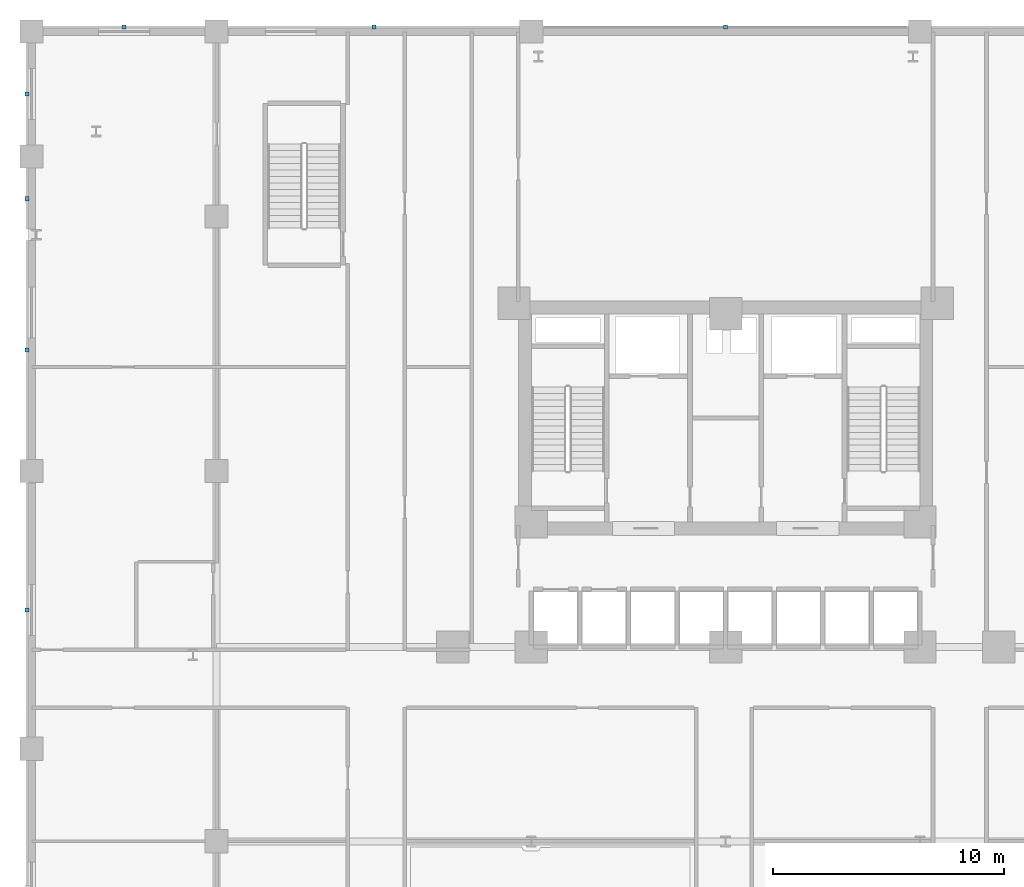
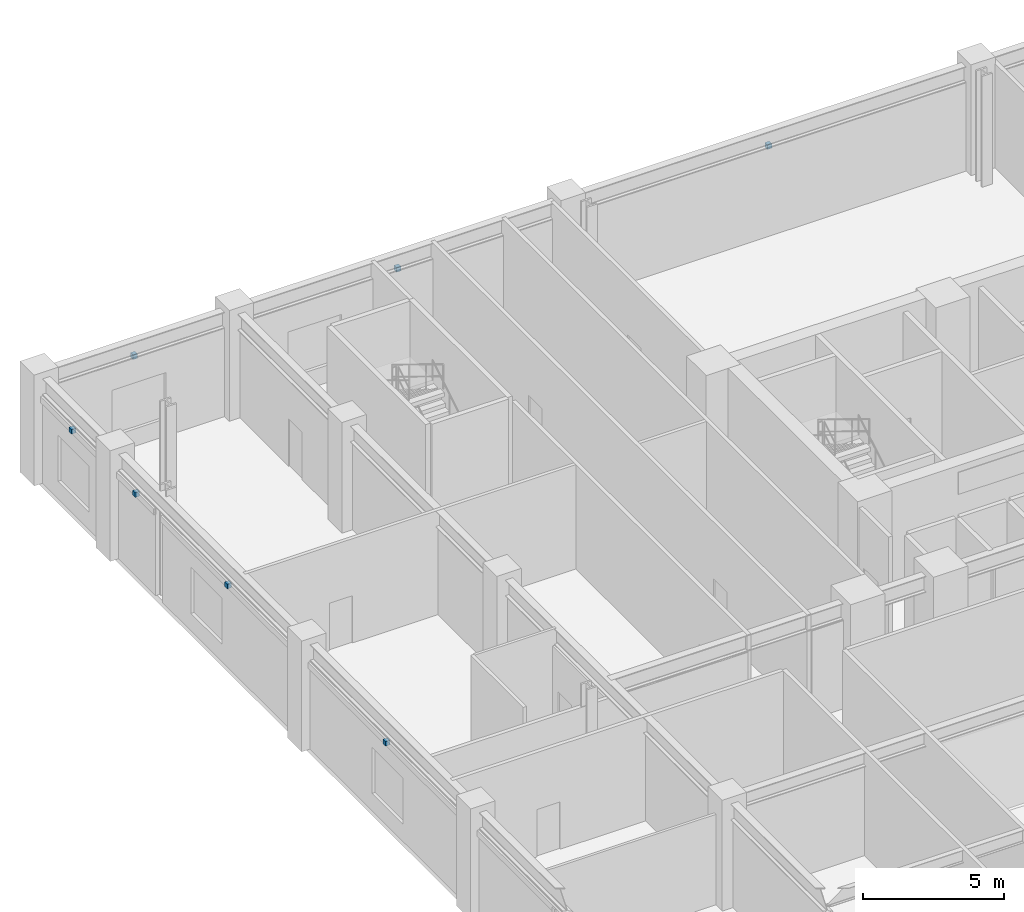
# One storey, part 39 of 48: 7 discrete accessories.
"""IFC4 building model written with IfcOpenShell, lengths in metres."""

from ifc_helpers import new_model, si_unit, derived_unit, direction, frame, origin, origin_2d, place, context, subcontext, project, spatial, rectangle, extrude, source, transform, mapped, material, type_object, element, save


model = new_model("IFC4")

# Units and contexts
model_context = context("Model", 3, precision=1e-05, world=origin(), true_north=direction((0.0, 1.0)))
body_context = subcontext(model_context, "Body", "Model", "MODEL_VIEW")
ifc_project = project(units=[si_unit("LENGTHUNIT", "METRE"), si_unit("AREAUNIT", "SQUARE_METRE"), si_unit("VOLUMEUNIT", "CUBIC_METRE"), si_unit("PLANEANGLEUNIT", "RADIAN"), si_unit("MASSUNIT", "GRAM", prefix="KILO"), derived_unit("THERMALTRANSMITTANCEUNIT", [(si_unit("POWERUNIT", "WATT"), 1), (si_unit("LENGTHUNIT", "METRE"), -2), (si_unit("THERMODYNAMICTEMPERATUREUNIT", "KELVIN"), -1)])], contexts=[model_context])

# Site, building, storey
site_placement = place(None, origin())
site = spatial("IfcSite", under=ifc_project, at=site_placement, CompositionType="ELEMENT")
building_placement = place(site_placement, origin())
building = spatial("IfcBuilding", under=site, at=building_placement, Name="Korsvarv Bourse and Concert Hall", CompositionType="ELEMENT")
storey_placement = place(building_placement, frame((0.0, 0.0, 4.800048828125)))
storey = spatial("IfcBuildingStorey", under=building, at=storey_placement, Name="L01", CompositionType="ELEMENT", Elevation=4.800048828125)

# Discrete accessories
ifc_material = material(Name="Stainless Steel S355 facade outrigger bracket", Category="steel")
discrete_accessory_type = type_object("IfcDiscreteAccessoryType", Name="ACC-BRK-1", PredefinedType="BRACKET", material=ifc_material)
shared_shape = source(origin(), body_context, "Body", "SweptSolid", [
    extrude(rectangle(XDim=0.179931640625, YDim=0.179931640625, at=origin_2d()), origin(), (0.0, 0.0, 1.0), 0.199951171875),
])
for number, where, z_axis, x_axis, name in (
    (1, (10.0, 59.199951171875, 3.56005859375), (0.0, 0.0, 1.0), (1.0, 0.0, 0.0), "L01 terracotta sunshade bracket EW-L01-N1"),
    (2, (20.800048828125, 59.199951171875, 3.56005859375), (0.0, 0.0, 1.0), (1.0, 0.0, 0.0), "L01 terracotta sunshade bracket EW-L01-N2"),
    (3, (36.0, 59.199951171875, 3.56005859375), (0.0, 0.0, 1.0), (1.0, 0.0, 0.0), "L01 terracotta sunshade bracket EW-L01-N3"),
    (4, (5.800048828125, 34.0, 3.56005859375), (0.0, 0.0, 1.0), (0.0, 1.0, 0.0), "L01 terracotta sunshade bracket EW-L01-W3"),
    (5, (5.800048828125, 45.239990234375, 3.56005859375), (0.0, 0.0, 1.0), (0.0, 1.0, 0.0), "L01 terracotta sunshade bracket EW-L01-W4-1"),
    (6, (5.800048828125, 51.777099609375, 3.56005859375), (0.0, 0.0, 1.0), (0.0, 1.0, 0.0), "L01 terracotta sunshade bracket EW-L01-W4-2"),
    (7, (5.800048828125, 56.300048828125, 3.56005859375), (0.0, 0.0, 1.0), (0.0, 1.0, 0.0), "L01 terracotta sunshade bracket EW-L01-W5"),
):
    element("IfcDiscreteAccessory", number, at=place(storey_placement, frame(where, z_axis=z_axis, x_axis=x_axis)), inside=storey, type_object=discrete_accessory_type, Name=name, PredefinedType="BRACKET", context=body_context, shape_type="MappedRepresentation", body=[
        mapped(shared_shape, transform((0.0, 0.0, 0.0), scale=1.0)),
    ])

save(model, "model.ifc")
